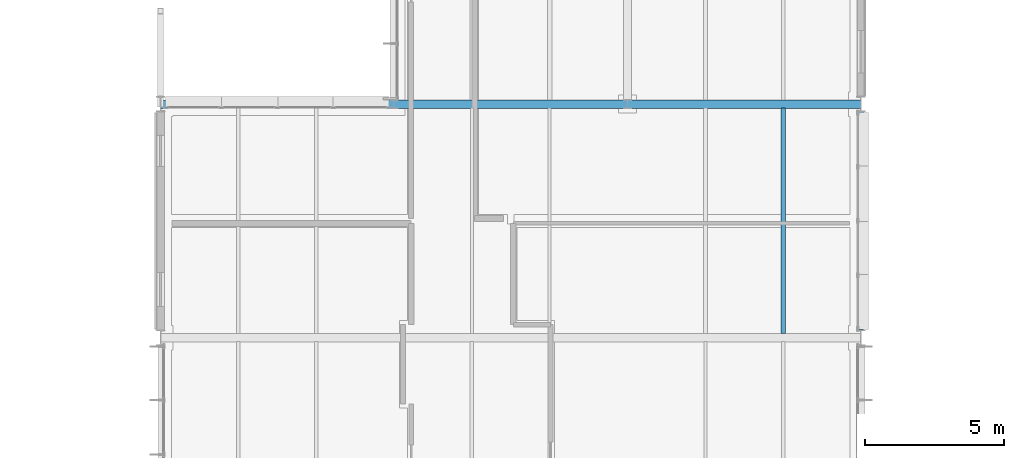
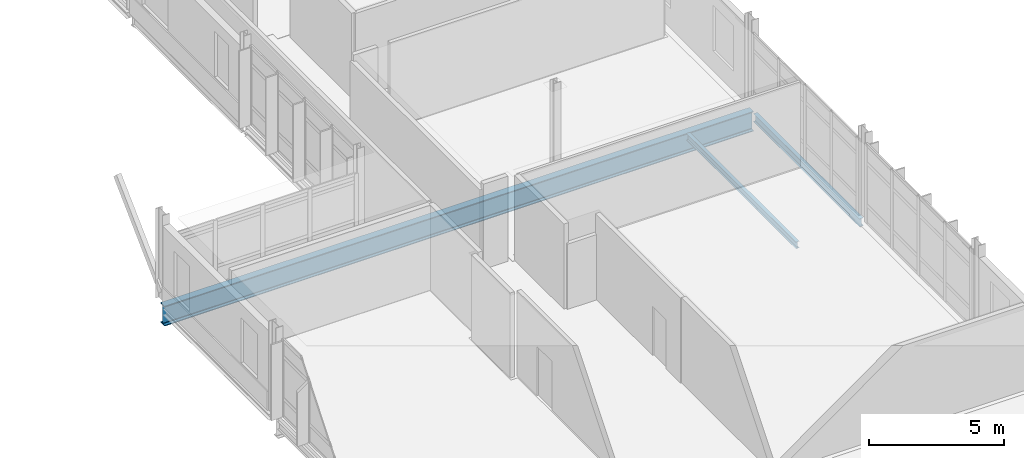
# One storey, part 39 of 103: 3 beams.
"""IFC4 building model written with IfcOpenShell, lengths in metres."""

from ifc_helpers import new_model, si_unit, direction, frame, origin, origin_2d, place, context, subcontext, project, spatial, i_section, extrude, material, material_profile, profile_set, type_object, element, save


model = new_model("IFC4")

# Units and contexts
model_context = context("Model", 3, precision=1e-05, world=origin(), true_north=direction((0.0, 1.0)))
body_context = subcontext(model_context, "Body", "Model", "MODEL_VIEW")
ifc_project = project(units=[si_unit("LENGTHUNIT", "METRE"), si_unit("AREAUNIT", "SQUARE_METRE"), si_unit("VOLUMEUNIT", "CUBIC_METRE"), si_unit("PLANEANGLEUNIT", "RADIAN"), si_unit("MASSUNIT", "GRAM", prefix="KILO")], contexts=[model_context])

# Site, building, storey
site_placement = place(None, origin())
site = spatial("IfcSite", under=ifc_project, at=site_placement, CompositionType="ELEMENT")
building_placement = place(site_placement, origin())
building = spatial("IfcBuilding", under=site, at=building_placement, Name="Mersafa Astral City Hall", CompositionType="ELEMENT")
storey_placement = place(building_placement, frame((0.0, 0.0, 18.0)))
storey = spatial("IfcBuildingStorey", under=building, at=storey_placement, Name="L04", CompositionType="ELEMENT", Elevation=18.0)

# Beams
ifc_material = material(Name="Steel S355", Category="steel")
ifc_material_profile_1 = material_profile(ifc_material, i_section(OverallWidth=0.300048828125, OverallDepth=0.89990234375, WebThickness=0.0185546875, FlangeThickness=0.034912109375, FilletRadius=0.030029296875, at=origin_2d()), Name="HEB 900")
ifc_profile_set_1 = profile_set([ifc_material_profile_1], Name="Steel S355")
beam_type_1 = type_object("IfcBeamType", Name="STR-BM-HEB900", PredefinedType="BEAM", material=ifc_profile_set_1)
beam_1_placement = place(storey_placement, frame((92.403076171875, 92.39990234375, -0.635009765625), z_axis=(1.0, 0.0, 0.0), x_axis=(0.0, 1.0, 0.0)))
element("IfcBeam", 1, at=beam_1_placement, inside=storey, type_object=beam_type_1, Name="L04 Public Service Hall clear-span portal girder 11", PredefinedType="BEAM", context=body_context, shape_type="SweptSolid", body=[
    extrude(i_section(OverallWidth=0.300048828125, OverallDepth=0.89990234375, WebThickness=0.0185546875, FlangeThickness=0.034912109375, FilletRadius=0.030029296875, at=origin_2d()), origin(), (0.0, 0.0, 1.0), 25.19384765625),
])
ifc_material_profile_2 = material_profile(ifc_material, i_section(OverallWidth=0.14990234375, OverallDepth=0.300048828125, WebThickness=0.007080078125, FlangeThickness=0.0107421875, FilletRadius=0.014892578125, at=origin_2d()), Name="IPE 300")
ifc_profile_set_2 = profile_set([ifc_material_profile_2], Name="Steel S355")
beam_type_2 = type_object("IfcBeamType", Name="STR-BM-JOIST-IPE300", PredefinedType="JOIST", material=ifc_profile_set_2)
beam_2_placement = place(storey_placement, frame((114.800048828125, 84.14501953125, -0.3349609375), z_axis=(0.0, 1.0, 0.0), x_axis=(-1.0, 0.0, 0.0)))
element("IfcBeam", 2, at=beam_2_placement, inside=storey, type_object=beam_type_2, Name="L04 Composite secondary floor joist 737", PredefinedType="JOIST", context=body_context, shape_type="SweptSolid", body=[
    extrude(i_section(OverallWidth=0.14990234375, OverallDepth=0.300048828125, WebThickness=0.007080078125, FlangeThickness=0.0107421875, FilletRadius=0.014892578125, at=origin_2d()), origin(), (0.0, 0.0, 1.0), 8.10986328125),
])
ifc_material_profile_3 = material_profile(ifc_material, i_section(OverallWidth=0.169921875, OverallDepth=0.360107421875, WebThickness=0.008056640625, FlangeThickness=0.0126953125, FilletRadius=0.01806640625, at=origin_2d()), Name="IPE 360")
ifc_profile_set_3 = profile_set([ifc_material_profile_3], Name="Steel S355")
beam_type_3 = type_object("IfcBeamType", Name="STR-BM-SPANDREL-IPE360", PredefinedType="SPANDREL", material=ifc_profile_set_3)
beam_3_placement = place(storey_placement, frame((117.60009765625, 84.27001953125, -0.364990234375), z_axis=(0.0, 1.0, 0.0), x_axis=(-1.0, 0.0, 0.0)))
element("IfcBeam", 3, at=beam_3_placement, inside=storey, type_object=beam_type_3, Name="L04 Primary girder Y 14-10", PredefinedType="SPANDREL", context=body_context, shape_type="SweptSolid", body=[
    extrude(i_section(OverallWidth=0.169921875, OverallDepth=0.360107421875, WebThickness=0.008056640625, FlangeThickness=0.0126953125, FilletRadius=0.01806640625, at=origin_2d()), origin(), (0.0, 0.0, 1.0), 7.85986328125),
])

save(model, "model.ifc")
